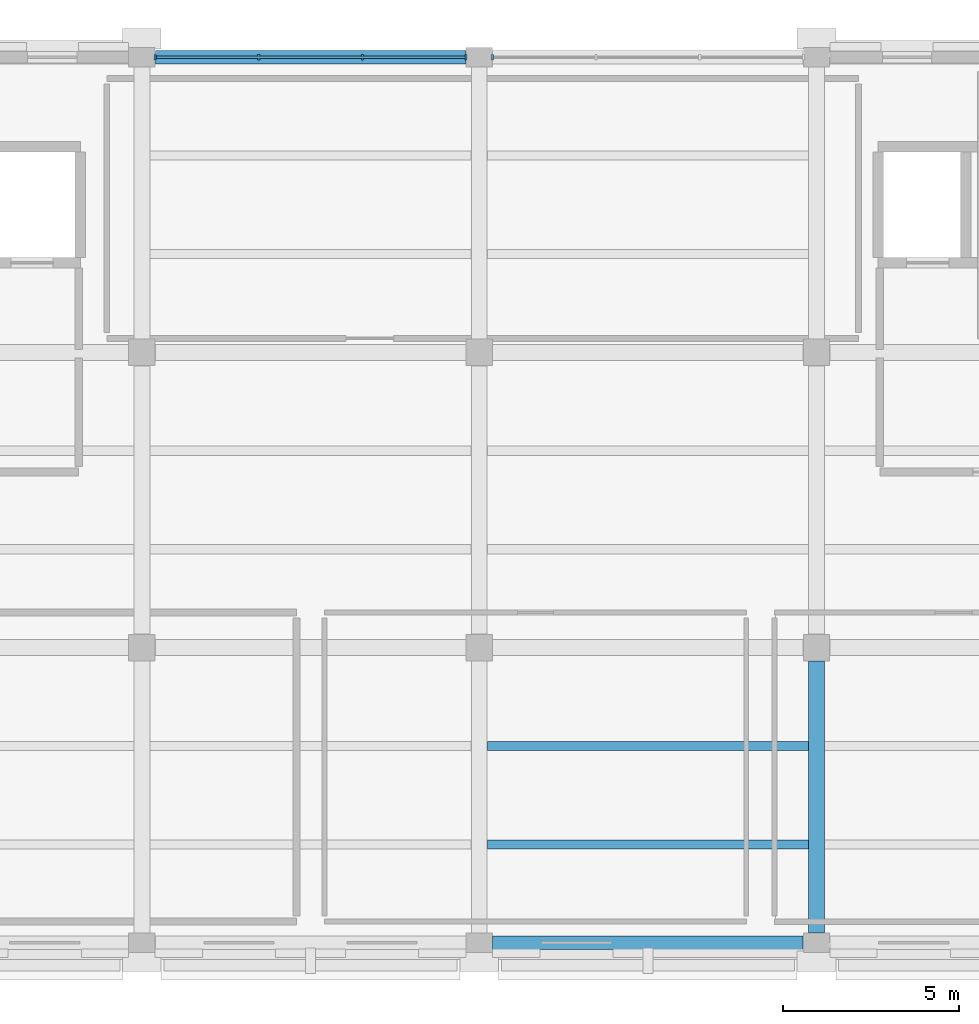
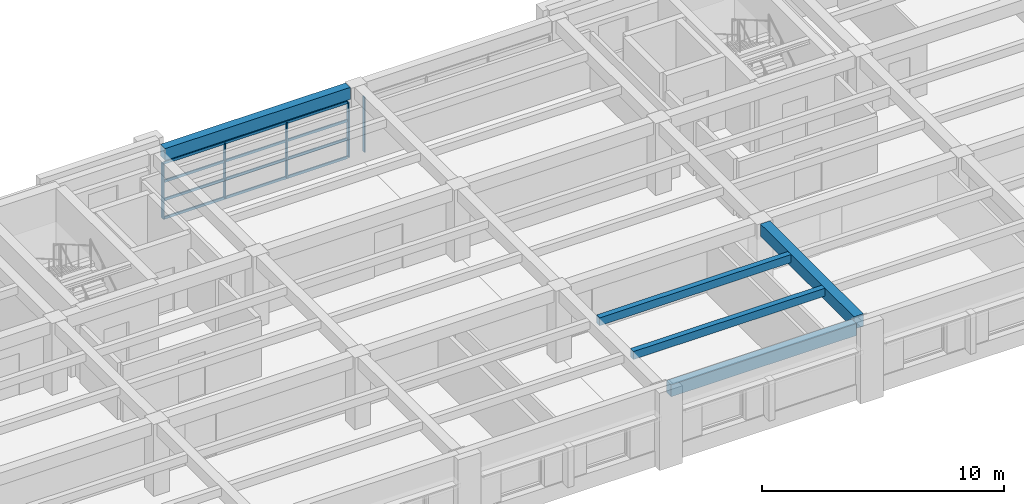
# One storey, part 2 of 11: 9 members, 5 beams, 2 elements without a shape of their own.
"""IFC4 building model written with IfcOpenShell, lengths in metres."""

import ifcopenshell
import ifcopenshell.guid

model = None  # the IFC model being written
_history = None  # IfcOwnerHistory: only IFC2X3 demands one
_inside = {}  # id of a spatial element -> (the spatial element, [elements in it])
_under = {}  # id of a project, library or spatial element -> (it, [spatial elements below it])
_declared = {}  # id of a project -> (the project, [libraries it declares])
_typed = {}  # id of a type object -> (the type object, [elements of that type])
_made_of = {}  # id of a material, layer set ... -> (it, [elements and type objects made of it])


def new_model(schema):
    """Start an empty IFC model of exactly this schema.

    Asked for "IFC4X3", IfcOpenShell would pick the latest addendum, in which some entities
    have other attributes; the version numbers below select the first issue.
    IFC2X3 requires an IfcOwnerHistory on every rooted entity: one is made here for all.
    """
    global model, _history
    if schema == "IFC4X3":
        model = ifcopenshell.file(schema_version=(4, 3, 0, 0))
    else:
        model = ifcopenshell.file(schema=schema)
    _inside.clear()
    _under.clear()
    _declared.clear()
    _typed.clear()
    _made_of.clear()
    _history = None
    if model.schema == "IFC2X3":
        org = make("IfcOrganization", Name="unknown")
        user = make(
            "IfcPersonAndOrganization",
            ThePerson=make("IfcPerson", FamilyName="unknown"),
            TheOrganization=org,
        )
        app = make(
            "IfcApplication",
            ApplicationDeveloper=org,
            Version="unknown",
            ApplicationFullName="unknown",
            ApplicationIdentifier="unknown",
        )
        _history = make(
            "IfcOwnerHistory",
            OwningUser=user,
            OwningApplication=app,
            ChangeAction="ADDED",
            CreationDate=0,
        )
    return model


def make(cls, **values):
    """One entity of the class cls with the attributes given. An attribute that is None is left unset."""
    return model.create_entity(
        cls, **{name: value for name, value in values.items() if value is not None}
    )


def rooted(cls, **values):
    """An entity with a GlobalId (a new one), such as an element, a storey or a relation."""
    return make(cls, GlobalId=ifcopenshell.guid.new(), OwnerHistory=_history, **values)


def si_unit(unit_type, name, prefix=None):
    """IfcSIUnit, for example si_unit("LENGTHUNIT", "METRE", prefix="MILLI")."""
    return make("IfcSIUnit", UnitType=unit_type, Prefix=prefix, Name=name)


def assignment(units):
    """IfcUnitAssignment: the units of a project."""
    return None if units is None else make("IfcUnitAssignment", Units=units)


def point(xyz):
    """IfcCartesianPoint."""
    return None if xyz is None else make("IfcCartesianPoint", Coordinates=xyz)


def direction(xyz):
    """IfcDirection."""
    return None if xyz is None else make("IfcDirection", DirectionRatios=xyz)


def frame(location, z_axis=None, x_axis=None):
    """IfcAxis2Placement3D, a coordinate frame: its origin and axes. An axis left out is left unset."""
    return make(
        "IfcAxis2Placement3D",
        Location=point(location),
        Axis=direction(z_axis),
        RefDirection=direction(x_axis),
    )


def frame_2d(location, x_axis=None):
    """IfcAxis2Placement2D, a coordinate frame in the plane: its origin and x axis."""
    return make(
        "IfcAxis2Placement2D", Location=point(location), RefDirection=direction(x_axis)
    )


def origin():
    """The frame at (0, 0, 0) with its axes left unset."""
    return frame((0.0, 0.0, 0.0))


def origin_2d():
    """The frame at (0, 0) in the plane with its x axis left unset."""
    return frame_2d((0.0, 0.0))


def place(relative_to, where):
    """IfcLocalPlacement: puts the frame where relative to a parent placement (None: the world)."""
    return make(
        "IfcLocalPlacement", PlacementRelTo=relative_to, RelativePlacement=where
    )


def context(
    kind, dimensions, precision=None, world=None, true_north=None, identifier=None
):
    """IfcGeometricRepresentationContext, for example the 3D "Model" context."""
    return make(
        "IfcGeometricRepresentationContext",
        ContextIdentifier=identifier,
        ContextType=kind,
        CoordinateSpaceDimension=dimensions,
        Precision=precision,
        WorldCoordinateSystem=world,
        TrueNorth=true_north,
    )


def subcontext(parent, identifier, kind, view, scale=None):
    """IfcGeometricRepresentationSubContext, for example "Body" below "Model"."""
    return make(
        "IfcGeometricRepresentationSubContext",
        ContextIdentifier=identifier,
        ContextType=kind,
        ParentContext=parent,
        TargetScale=scale,
        TargetView=view,
    )


def project(units=None, contexts=None):
    """IfcProject with its units and contexts."""
    return rooted(
        "IfcProject",
        Name="project",
        RepresentationContexts=contexts,
        UnitsInContext=assignment(units),
    )


def spatial(cls, under=None, at=None, **own):
    """A site, building, storey or space (cls), placed at a placement, below another one or the project."""
    s = rooted(cls, ObjectPlacement=at, **own)
    if under is not None:
        _under.setdefault(under.id(), (under, []))[1].append(s)
    return s


def profile(cls, at=None, kind="AREA", **sizes):
    """A parametric profile (cls). Its sizes go by their IFC names, for example OverallWidth=200.0."""
    return make(cls, ProfileType=kind, Position=at, **sizes)


def rectangle(**sizes):
    """IfcRectangleProfileDef."""
    return profile("IfcRectangleProfileDef", **sizes)


def extrude(swept, where, along, depth):
    """IfcExtrudedAreaSolid: the profile swept, set in the frame where, extruded along a direction by depth."""
    return make(
        "IfcExtrudedAreaSolid",
        SweptArea=swept,
        Position=where,
        ExtrudedDirection=direction(along),
        Depth=depth,
    )


def shape(context_of_items, identifier, shape_type, items):
    """IfcShapeRepresentation: the items that make up one representation, for example the "Body"."""
    return make(
        "IfcShapeRepresentation",
        ContextOfItems=context_of_items,
        RepresentationIdentifier=identifier,
        RepresentationType=shape_type,
        Items=items,
    )


def material(Name=None, Category=None):
    """IfcMaterial."""
    return make("IfcMaterial", Name=Name, Category=Category)


def layer(
    of_material, thickness, ventilated=None, Name=None, Category=None, Priority=None
):
    """IfcMaterialLayer: one layer of a wall or slab, of a material (None: an air gap)."""
    return make(
        "IfcMaterialLayer",
        Material=of_material,
        LayerThickness=thickness,
        IsVentilated=ventilated,
        Name=Name,
        Category=Category,
        Priority=Priority,
    )


def layer_set(layers, Name=None):
    """IfcMaterialLayerSet."""
    return make("IfcMaterialLayerSet", MaterialLayers=layers, LayerSetName=Name)


def material_profile(
    of_material, cross_section, Name=None, Category=None, Priority=None
):
    """IfcMaterialProfile: a cross section and its material."""
    return make(
        "IfcMaterialProfile",
        Name=Name,
        Material=of_material,
        Profile=cross_section,
        Priority=Priority,
        Category=Category,
    )


def profile_set(profiles, Name=None, composite=None):
    """IfcMaterialProfileSet."""
    return make(
        "IfcMaterialProfileSet",
        Name=Name,
        MaterialProfiles=profiles,
        CompositeProfile=composite,
    )


def made_of(thing, what):
    """Note that an element or type object is made of a material, layer set ...; save() writes the relation."""
    if what is not None:
        _made_of.setdefault(what.id(), (what, []))[1].append(thing)
    return thing


def type_object(cls, material=None, **own):
    """A type object (cls), such as IfcWallType, which elements share."""
    return made_of(rooted(cls, **own), material)


def element(
    cls,
    number,
    at=None,
    inside=None,
    cuts=None,
    type_object=None,
    material=None,
    context=None,
    identifier="Body",
    shape_type=None,
    held_by="IfcProductDefinitionShape",
    body=None,
    shapes=None,
    **own,
):
    """One element of the class cls, such as IfcWall. Its Tag is "e" and its number.

    at: its placement. inside: the storey or other place that contains it. cuts: it is an
    opening in that element (IfcRelVoidsElement). A single representation is given by context,
    identifier, shape_type and body (its items); several are given by shapes. held_by: the class
    of the entity that holds the representations. save() writes the other relations.
    """
    e = rooted(cls, Tag="e%d" % number, ObjectPlacement=at, **own)
    if body is not None:
        shapes = [shape(context, identifier, shape_type, body)]
    if shapes is not None:
        e.Representation = make(held_by, Representations=shapes)
    if inside is not None:
        _inside.setdefault(inside.id(), (inside, []))[1].append(e)
    if cuts is not None:
        rooted(
            "IfcRelVoidsElement", RelatingBuildingElement=cuts, RelatedOpeningElement=e
        )
    if type_object is not None:
        _typed.setdefault(type_object.id(), (type_object, []))[1].append(e)
    return made_of(e, material)


def aggregate(whole, parts):
    """IfcRelAggregates: a whole, such as a stair, and the parts it consists of."""
    return rooted("IfcRelAggregates", RelatingObject=whole, RelatedObjects=parts)


def save(model, path):
    """Write the relations noted so far, then the file.

    IfcRelAggregates (storeys below a building ...), IfcRelContainedInSpatialStructure (elements
    in a storey), IfcRelDefinesByType, IfcRelAssociatesMaterial and IfcRelDeclares: one each for
    every whole, place, type object, material and project.
    """
    for whole, parts in _under.values():
        aggregate(whole, parts)
    for where, things in _inside.values():
        rooted(
            "IfcRelContainedInSpatialStructure",
            RelatedElements=things,
            RelatingStructure=where,
        )
    for kind, things in _typed.values():
        rooted("IfcRelDefinesByType", RelatedObjects=things, RelatingType=kind)
    for what, things in _made_of.values():
        rooted("IfcRelAssociatesMaterial", RelatedObjects=things, RelatingMaterial=what)
    for by, libraries in _declared.values():
        rooted("IfcRelDeclares", RelatingContext=by, RelatedDefinitions=libraries)
    model.write(path)


model = new_model("IFC4")

# Units and contexts
model_context = context("Model", 3, precision=1e-05, world=origin(), true_north=direction((0.0, 1.0)))
body_context = subcontext(model_context, "Body", "Model", "MODEL_VIEW")
ifc_project = project(units=[si_unit("LENGTHUNIT", "METRE"), si_unit("AREAUNIT", "SQUARE_METRE"), si_unit("VOLUMEUNIT", "CUBIC_METRE"), si_unit("PLANEANGLEUNIT", "RADIAN"), si_unit("MASSUNIT", "GRAM", prefix="KILO")], contexts=[model_context])

# Site, building, storey
site_placement = place(None, origin())
site = spatial("IfcSite", under=ifc_project, at=site_placement, CompositionType="ELEMENT")
building_placement = place(site_placement, origin())
building = spatial("IfcBuilding", under=site, at=building_placement, Name="Bempovik Park Faculty of Sciences", CompositionType="ELEMENT")
storey_placement = place(building_placement, frame((0.0, 0.0, 30.60009765625)))
storey = spatial("IfcBuildingStorey", under=building, at=storey_placement, Name="L07", CompositionType="ELEMENT", Elevation=30.60009765625)

# Beams
ifc_material_1 = material(Name="Concrete C35/45", Category="concrete")
ifc_material_profile_1 = material_profile(ifc_material_1, rectangle(XDim=0.3798828125, YDim=0.60009765625, at=origin_2d()), Name="RC 380x600")
ifc_profile_set_1 = profile_set([ifc_material_profile_1], Name="Concrete C35/45")
beam_type_1 = type_object("IfcBeamType", Name="B-032 RC 380x600", PredefinedType="SPANDREL", material=ifc_profile_set_1)
beam_1_placement = place(storey_placement, frame((89.180908203125, 94.199951171875, 3.31982421875), z_axis=(1.0, 0.0, 0.0), x_axis=(0.0, 1.0, 0.0)))
element("IfcBeam", 1, at=beam_1_placement, inside=storey, type_object=beam_type_1, Name="L07 Beam X (88.8-98.4, y=94.2)", PredefinedType="SPANDREL", context=body_context, shape_type="SweptSolid", body=[
    extrude(rectangle(XDim=0.3798828125, YDim=0.60009765625, at=origin_2d()), origin(), (0.0, 0.0, 1.0), 8.838134765625),
])
beam_2_placement = place(storey_placement, frame((79.5810546875, 119.39990234375, 3.31982421875), z_axis=(1.0, 0.0, 0.0), x_axis=(0.0, 1.0, 0.0)))
element("IfcBeam", 2, at=beam_2_placement, inside=storey, type_object=beam_type_1, Name="L07 Beam X (79.2-88.8, y=119.4)", PredefinedType="SPANDREL", context=body_context, shape_type="SweptSolid", body=[
    extrude(rectangle(XDim=0.3798828125, YDim=0.60009765625, at=origin_2d()), origin(), (0.0, 0.0, 1.0), 8.837890625),
])
ifc_material_profile_2 = material_profile(ifc_material_1, rectangle(XDim=0.260009765625, YDim=0.39990234375, at=origin_2d()), Name="RC 260x400")
ifc_profile_set_2 = profile_set([ifc_material_profile_2], Name="Concrete C35/45")
beam_type_2 = type_object("IfcBeamType", Name="B-063 RC 260x400", PredefinedType="JOIST", material=ifc_profile_set_2)
for number, where, z_axis, x_axis, name in (
    (3, (89.031005859375, 97.0, 3.419921875), (1.0, 0.0, 0.0), (0.0, 1.0, 0.0), "L07 Secondary Joist (88.8-98.4, y=97.00)"),
    (4, (89.031005859375, 99.800048828125, 3.419921875), (1.0, 0.0, 0.0), (0.0, 1.0, 0.0), "L07 Secondary Joist (88.8-98.4, y=99.80)"),
):
    element("IfcBeam", number, at=place(storey_placement, frame(where, z_axis=z_axis, x_axis=x_axis)), inside=storey, type_object=beam_type_2, Name=name, PredefinedType="JOIST", context=body_context, shape_type="SweptSolid", body=[
        extrude(rectangle(XDim=0.260009765625, YDim=0.39990234375, at=origin_2d()), origin(), (0.0, 0.0, 1.0), 9.137939453125),
    ])
ifc_material_profile_3 = material_profile(ifc_material_1, rectangle(XDim=0.449951171875, YDim=0.6201171875, at=origin_2d()), Name="RC 450x620")
ifc_profile_set_3 = profile_set([ifc_material_profile_3], Name="Concrete C35/45")
beam_type_3 = type_object("IfcBeamType", Name="B-114 RC 450x620", PredefinedType="BEAM", material=ifc_profile_set_3)
beam_3_placement = place(storey_placement, frame((98.39990234375, 94.48095703125, 3.309814453125), z_axis=(0.0, 1.0, 0.0), x_axis=(-1.0, 0.0, 0.0)))
element("IfcBeam", 5, at=beam_3_placement, inside=storey, type_object=beam_type_3, Name="L07 Beam Y (x=98.4, 94.2-102.6)", PredefinedType="BEAM", context=body_context, shape_type="SweptSolid", body=[
    extrude(rectangle(XDim=0.449951171875, YDim=0.6201171875, at=origin_2d()), origin(), (0.0, 0.0, 1.0), 7.738037109375),
])

# Curtain wall, members
ifc_material_2 = material(Name="Tempered laminated low-E glass", Category="glass")
ifc_layer = layer(ifc_material_2, 0.159912109375)
ifc_layer_set = layer_set([ifc_layer], Name="Tempered laminated low-E glass")
curtain_wall_type = type_object("IfcCurtainWallType", Name="CW-24 Curtain 7000x3500", PredefinedType="USERDEFINED", material=ifc_layer_set)
curtain_wall_1_placement = place(storey_placement, origin())
curtain_wall_1 = element("IfcCurtainWall", 6, at=curtain_wall_1_placement, inside=storey, type_object=curtain_wall_type, Name="L07 Unitised Curtain Wall (119.4,79.2)", ObjectType="UNITISED CURTAIN WALL", PredefinedType="USERDEFINED")
ifc_material_3 = material(Name="Anodised architectural bronze", Category="aluminium")
ifc_material_profile_4 = material_profile(ifc_material_3, rectangle(XDim=0.06005859375, YDim=0.159912109375, at=origin_2d()), Name="ALU-M 60x160")
ifc_profile_set_4 = profile_set([ifc_material_profile_4], Name="Anodised architectural bronze")
member_type_1 = type_object("IfcMemberType", Name="ML-21 ALU-M 60x160", PredefinedType="MULLION", material=ifc_profile_set_4)
member_1_placement = place(storey_placement, frame((79.576904296875, 119.39990234375, 0.0), z_axis=(0.0, 0.0, 1.0), x_axis=(1.0, 0.0, 0.0)))
member_1 = element("IfcMember", 7, at=member_1_placement, type_object=member_type_1, Name="CW-BAY-L07-1194-792 Mullion 0", PredefinedType="MULLION", context=body_context, shape_type="SweptSolid", body=[
    extrude(rectangle(XDim=0.06005859375, YDim=0.159912109375, at=origin_2d()), origin(), (0.0, 0.0, 1.0), 2.77978515625),
])
member_2_placement = place(storey_placement, frame((82.525634765625, 119.39990234375, 0.0), z_axis=(0.0, 0.0, 1.0), x_axis=(1.0, 0.0, 0.0)))
member_2 = element("IfcMember", 8, at=member_2_placement, type_object=member_type_1, Name="CW-BAY-L07-1194-792 Mullion 1", PredefinedType="MULLION", context=body_context, shape_type="SweptSolid", body=[
    extrude(rectangle(XDim=0.06005859375, YDim=0.159912109375, at=origin_2d()), origin(), (0.0, 0.0, 1.0), 2.77978515625),
])
member_3_placement = place(storey_placement, frame((85.474365234375, 119.39990234375, 0.0), z_axis=(0.0, 0.0, 1.0), x_axis=(1.0, 0.0, 0.0)))
member_3 = element("IfcMember", 9, at=member_3_placement, type_object=member_type_1, Name="CW-BAY-L07-1194-792 Mullion 2", PredefinedType="MULLION", context=body_context, shape_type="SweptSolid", body=[
    extrude(rectangle(XDim=0.06005859375, YDim=0.159912109375, at=origin_2d()), origin(), (0.0, 0.0, 1.0), 2.77978515625),
])
member_4_placement = place(storey_placement, frame((88.423095703125, 119.39990234375, 0.0), z_axis=(0.0, 0.0, 1.0), x_axis=(1.0, 0.0, 0.0)))
member_4 = element("IfcMember", 10, at=member_4_placement, type_object=member_type_1, Name="CW-BAY-L07-1194-792 Mullion 3", PredefinedType="MULLION", context=body_context, shape_type="SweptSolid", body=[
    extrude(rectangle(XDim=0.06005859375, YDim=0.159912109375, at=origin_2d()), origin(), (0.0, 0.0, 1.0), 2.77978515625),
])

# Curtain wall, member
curtain_wall_2_placement = place(storey_placement, origin())
curtain_wall_2 = element("IfcCurtainWall", 11, at=curtain_wall_2_placement, inside=storey, type_object=curtain_wall_type, Name="L07 Unitised Curtain Wall (119.4,88.8)", ObjectType="UNITISED CURTAIN WALL", PredefinedType="USERDEFINED")
member_5_placement = place(storey_placement, frame((89.177001953125, 119.39990234375, 0.0), z_axis=(0.0, 0.0, 1.0), x_axis=(1.0, 0.0, 0.0)))
member_5 = element("IfcMember", 12, at=member_5_placement, type_object=member_type_1, Name="CW-BAY-L07-1194-888 Mullion 0", PredefinedType="MULLION", context=body_context, shape_type="SweptSolid", body=[
    extrude(rectangle(XDim=0.06005859375, YDim=0.159912109375, at=origin_2d()), origin(), (0.0, 0.0, 1.0), 2.77978515625),
])
aggregate(curtain_wall_2, [member_5])

# Member
ifc_material_profile_5 = material_profile(ifc_material_3, rectangle(XDim=0.06005859375, YDim=0.1298828125, at=origin_2d()), Name="ALU-T 60x130")
ifc_profile_set_5 = profile_set([ifc_material_profile_5], Name="Anodised architectural bronze")
member_type_2 = type_object("IfcMemberType", Name="TR-25 ALU-T 60x130", PredefinedType="USERDEFINED", material=ifc_profile_set_5)
member_6_placement = place(storey_placement, frame((79.616943359375, 119.39990234375, 0.0), z_axis=(1.0, 0.0, 0.0), x_axis=(0.0, 1.0, 0.0)))
member_6 = element("IfcMember", 13, at=member_6_placement, type_object=member_type_2, Name="CW-BAY-L07-1194-792 Transom 0", ObjectType="TRANSOM", PredefinedType="USERDEFINED", context=body_context, shape_type="SweptSolid", body=[
    extrude(rectangle(XDim=0.06005859375, YDim=0.1298828125, at=origin_2d()), origin(), (0.0, 0.0, 1.0), 8.76611328125),
])

member_7_placement = place(storey_placement, frame((79.616943359375, 119.39990234375, 0.926513671875), z_axis=(1.0, 0.0, 0.0), x_axis=(0.0, 1.0, 0.0)))
member_7 = element("IfcMember", 14, at=member_7_placement, type_object=member_type_2, Name="CW-BAY-L07-1194-792 Transom 1", ObjectType="TRANSOM", PredefinedType="USERDEFINED", context=body_context, shape_type="SweptSolid", body=[
    extrude(rectangle(XDim=0.06005859375, YDim=0.1298828125, at=origin_2d()), origin(), (0.0, 0.0, 1.0), 8.76611328125),
])

member_8_placement = place(storey_placement, frame((79.616943359375, 119.39990234375, 1.853271484375), z_axis=(1.0, 0.0, 0.0), x_axis=(0.0, 1.0, 0.0)))
member_8 = element("IfcMember", 15, at=member_8_placement, type_object=member_type_2, Name="CW-BAY-L07-1194-792 Transom 2", ObjectType="TRANSOM", PredefinedType="USERDEFINED", context=body_context, shape_type="SweptSolid", body=[
    extrude(rectangle(XDim=0.06005859375, YDim=0.1298828125, at=origin_2d()), origin(), (0.0, 0.0, 1.0), 8.76611328125),
])

member_9_placement = place(storey_placement, frame((79.616943359375, 119.39990234375, 2.77978515625), z_axis=(1.0, 0.0, 0.0), x_axis=(0.0, 1.0, 0.0)))
member_9 = element("IfcMember", 16, at=member_9_placement, type_object=member_type_2, Name="CW-BAY-L07-1194-792 Transom 3", ObjectType="TRANSOM", PredefinedType="USERDEFINED", context=body_context, shape_type="SweptSolid", body=[
    extrude(rectangle(XDim=0.06005859375, YDim=0.1298828125, at=origin_2d()), origin(), (0.0, 0.0, 1.0), 8.76611328125),
])

aggregate(curtain_wall_1, [member_1, member_2, member_3, member_4, member_6, member_7, member_8, member_9])

save(model, "model.ifc")
